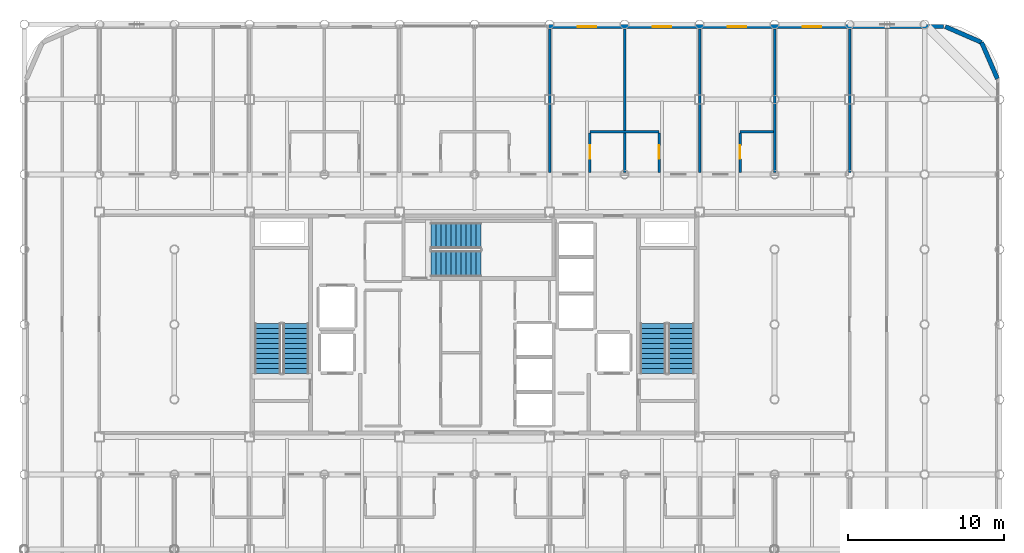
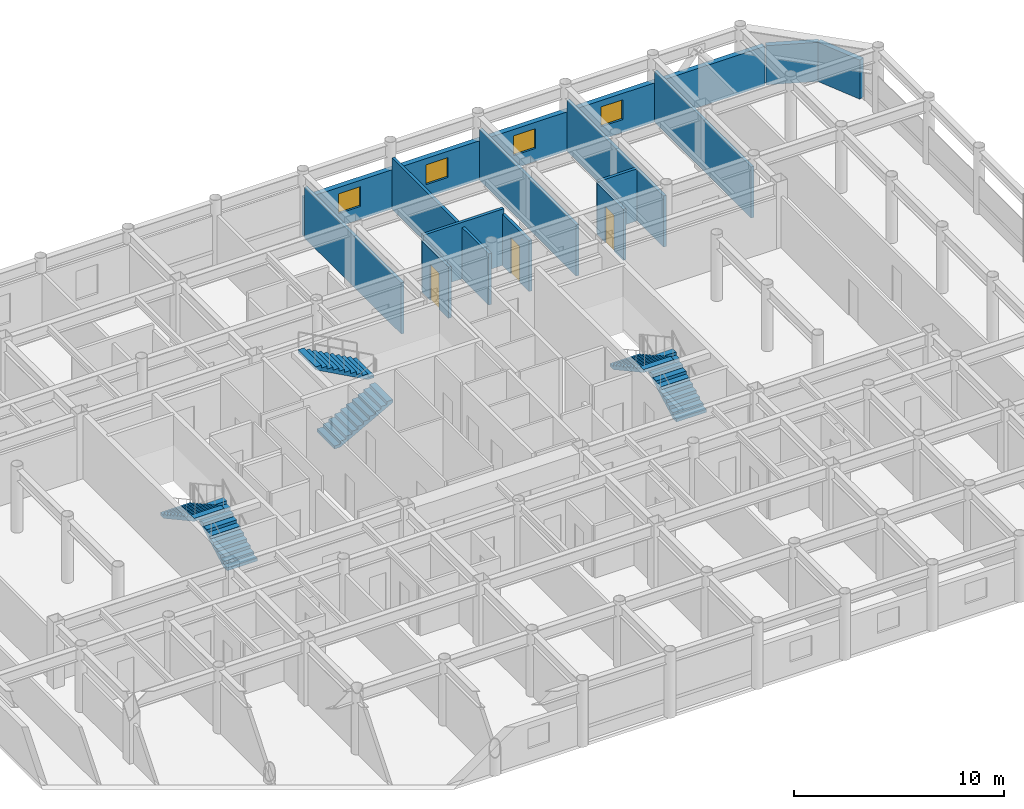
# One storey, part 21 of 22: 13 walls, 6 stair flights, 4 windows, 3 doors, 7 openings, 3 elements without a shape of their own.
"""IFC4 building model written with IfcOpenShell, lengths in metres."""

from ifc_helpers import new_model, si_unit, direction, frame, frame_2d, origin, place, context, subcontext, project, spatial, polyline, rectangle, outline, extrude, material, layer, layer_set, type_object, element, fill, aggregate, save


model = new_model("IFC4")

# Units and contexts
model_context = context("Model", 3, precision=1e-05, world=origin(), true_north=direction((0.0, 1.0)))
body_context = subcontext(model_context, "Body", "Model", "MODEL_VIEW")
ifc_project = project(units=[si_unit("LENGTHUNIT", "METRE"), si_unit("AREAUNIT", "SQUARE_METRE"), si_unit("VOLUMEUNIT", "CUBIC_METRE"), si_unit("PLANEANGLEUNIT", "RADIAN"), si_unit("MASSUNIT", "GRAM", prefix="KILO")], contexts=[model_context])

# Site, building, storey
site_placement = place(None, origin())
site = spatial("IfcSite", under=ifc_project, at=site_placement, CompositionType="ELEMENT")
building_placement = place(site_placement, origin())
building = spatial("IfcBuilding", under=site, at=building_placement, Name="Kallvorn Hotel Tower", CompositionType="ELEMENT")
storey_placement = place(building_placement, frame((0.0, 0.0, 199.199951171875)))
storey = spatial("IfcBuildingStorey", under=building, at=storey_placement, Name="L49", CompositionType="ELEMENT", Elevation=199.199951171875)

# Walls
ifc_material_1 = material(Name="Fire-rated double-layer acoustic gypsum drywall EI 60")
ifc_layer_1 = layer(ifc_material_1, 0.159912109375)
ifc_layer_set_1 = layer_set([ifc_layer_1], Name="WL_DEMISE_160")
wall_type_1 = type_object("IfcWallType", Name="WL_DEMISE_160", PredefinedType="PARTITIONING", material=ifc_layer_set_1)
wall_1_placement = place(storey_placement, frame((7.389892578125, 12.320068359375, 0.0), z_axis=(0.0, 0.0, 1.0), x_axis=(1.0, 0.0, 0.0)))
element("IfcWall", 1, at=wall_1_placement, inside=storey, type_object=wall_type_1, Name="L49 Suite 4913 Standard Twin Room Partition", PredefinedType="PARTITIONING", context=body_context, shape_type="SweptSolid", body=[
    extrude(rectangle(XDim=4.420166015625, YDim=0.159912109375, at=frame_2d((2.2099609375, 0.0))), origin(), (0.0, 0.0, 1.0), 3.27001953125),
])
wall_2_placement = place(storey_placement, frame((16.989990234375, 12.320068359375, 0.0), z_axis=(0.0, 0.0, 1.0), x_axis=(1.0, 0.0, 0.0)))
element("IfcWall", 2, at=wall_2_placement, inside=storey, type_object=wall_type_1, Name="L49 Suite 4915 Standard Twin Room Partition", PredefinedType="PARTITIONING", context=body_context, shape_type="SweptSolid", body=[
    extrude(rectangle(XDim=2.130126953125, YDim=0.159912109375, at=frame_2d((1.06494140625, 0.0))), origin(), (0.0, 0.0, 1.0), 3.02001953125),
])
wall_3_placement = place(storey_placement, frame((4.800048828125, 9.719970703125, 0.0), z_axis=(0.0, 0.0, 1.0), x_axis=(0.0, 1.0, 0.0)))
element("IfcWall", 3, at=wall_3_placement, inside=storey, type_object=wall_type_1, Name="L49 Suite 4912 Standard Twin Room Partition", PredefinedType="PARTITIONING", context=body_context, shape_type="SweptSolid", body=[
    extrude(rectangle(XDim=9.18994140625, YDim=0.159912109375, at=frame_2d((4.594970703125, 0.0))), origin(), (0.0, 0.0, 1.0), 2.969970703125),
])

# Wall, opening, door
wall_4_placement = place(storey_placement, frame((7.389892578125, 9.719970703125, 0.0), z_axis=(0.0, 0.0, 1.0), x_axis=(0.0, 1.0, 0.0)))
wall_4 = element("IfcWall", 4, at=wall_4_placement, inside=storey, type_object=wall_type_1, Name="L49 Suite 4913 Standard Twin Room Partition", PredefinedType="PARTITIONING", context=body_context, shape_type="SweptSolid", body=[
    extrude(rectangle(XDim=2.51513671875, YDim=0.159912109375, at=frame_2d((1.257568359375, 0.0))), origin(), (0.0, 0.0, 1.0), 2.969970703125),
])
opening_1_placement = place(wall_4_placement, frame((0.8701171875, 0.0, 0.0)))
opening_1 = element("IfcOpeningElement", 5, at=opening_1_placement, cuts=wall_4, Name="Opening BD-I", PredefinedType="OPENING", context=body_context, shape_type="SweptSolid", body=[
    extrude(rectangle(XDim=0.860107421875, YDim=2.10009765625, at=frame_2d((0.43017578125, 1.050048828125))), frame((0.0, 0.094970703125, 0.0), z_axis=(0.0, -1.0, 0.0), x_axis=(1.0, 0.0, 0.0)), (0.0, 0.0, 1.0), 0.18994140625),
])
ifc_material_2 = material(Name="Solid-core walnut veneer fire-rated timber door leaf", Category="wood")
door_type = type_object("IfcDoorType", Name="DR_BATH_860x2100", OperationType="NOTDEFINED", PredefinedType="DOOR", material=ifc_material_2)
door_1_placement = place(opening_1_placement, origin())
door_1 = element("IfcDoor", 6, at=door_1_placement, inside=storey, type_object=door_type, Name="L49 Suite 4913 En-Suite Bathroom Door", OperationType="SINGLE_SWING_LEFT", OverallHeight=2.10009765625, OverallWidth=0.860107421875, PredefinedType="DOOR", context=body_context, shape_type="SweptSolid", body=[
    extrude(rectangle(XDim=0.860107421875, YDim=2.10009765625, at=frame_2d((0.43017578125, 1.050048828125))), frame((0.0, 0.02490234375, 0.0), z_axis=(0.0, -1.0, 0.0), x_axis=(1.0, 0.0, 0.0)), (0.0, 0.0, 1.0), 0.050048828125),
])
fill(opening_1, door_1)

# Wall
wall_5_placement = place(storey_placement, frame((9.60009765625, 9.719970703125, 0.0), z_axis=(0.0, 0.0, 1.0), x_axis=(0.0, 1.0, 0.0)))
element("IfcWall", 7, at=wall_5_placement, inside=storey, type_object=wall_type_1, Name="L49 Suite 4913 Standard Twin Room Partition", PredefinedType="PARTITIONING", context=body_context, shape_type="SweptSolid", body=[
    extrude(rectangle(XDim=9.18994140625, YDim=0.159912109375, at=frame_2d((4.594970703125, 0.0))), origin(), (0.0, 0.0, 1.0), 2.969970703125),
])

# Wall, opening, door
wall_6_placement = place(storey_placement, frame((11.81005859375, 9.719970703125, 0.0), z_axis=(0.0, 0.0, 1.0), x_axis=(0.0, 1.0, 0.0)))
wall_6 = element("IfcWall", 8, at=wall_6_placement, inside=storey, type_object=wall_type_1, Name="L49 Suite 4914 Standard Twin Room Partition", PredefinedType="PARTITIONING", context=body_context, shape_type="SweptSolid", body=[
    extrude(rectangle(XDim=2.51513671875, YDim=0.159912109375, at=frame_2d((1.257568359375, 0.0))), origin(), (0.0, 0.0, 1.0), 2.969970703125),
])
opening_2_placement = place(wall_6_placement, frame((0.8701171875, 0.0, 0.0)))
opening_2 = element("IfcOpeningElement", 9, at=opening_2_placement, cuts=wall_6, Name="Opening BD-I", PredefinedType="OPENING", context=body_context, shape_type="SweptSolid", body=[
    extrude(rectangle(XDim=0.860107421875, YDim=2.10009765625, at=frame_2d((0.43017578125, 1.050048828125))), frame((0.0, 0.094970703125, 0.0), z_axis=(0.0, -1.0, 0.0), x_axis=(1.0, 0.0, 0.0)), (0.0, 0.0, 1.0), 0.18994140625),
])
door_2_placement = place(opening_2_placement, origin())
door_2 = element("IfcDoor", 10, at=door_2_placement, inside=storey, type_object=door_type, Name="L49 Suite 4914 En-Suite Bathroom Door", OperationType="SINGLE_SWING_RIGHT", OverallHeight=2.10009765625, OverallWidth=0.860107421875, PredefinedType="DOOR", context=body_context, shape_type="SweptSolid", body=[
    extrude(rectangle(XDim=0.860107421875, YDim=2.10009765625, at=frame_2d((0.43017578125, 1.050048828125))), frame((0.0, 0.02490234375, 0.0), z_axis=(0.0, -1.0, 0.0), x_axis=(1.0, 0.0, 0.0)), (0.0, 0.0, 1.0), 0.050048828125),
])
fill(opening_2, door_2)

# Wall
wall_7_placement = place(storey_placement, frame((14.39990234375, 9.719970703125, 0.0), z_axis=(0.0, 0.0, 1.0), x_axis=(0.0, 1.0, 0.0)))
element("IfcWall", 11, at=wall_7_placement, inside=storey, type_object=wall_type_1, Name="L49 Suite 4914 Standard Twin Room Partition", PredefinedType="PARTITIONING", context=body_context, shape_type="SweptSolid", body=[
    extrude(rectangle(XDim=9.18994140625, YDim=0.159912109375, at=frame_2d((4.594970703125, 0.0))), origin(), (0.0, 0.0, 1.0), 2.969970703125),
])

# Wall, opening, door
wall_8_placement = place(storey_placement, frame((16.989990234375, 9.719970703125, 0.0), z_axis=(0.0, 0.0, 1.0), x_axis=(0.0, 1.0, 0.0)))
wall_8 = element("IfcWall", 12, at=wall_8_placement, inside=storey, type_object=wall_type_1, Name="L49 Suite 4915 Standard Twin Room Partition", PredefinedType="PARTITIONING", context=body_context, shape_type="SweptSolid", body=[
    extrude(rectangle(XDim=2.51513671875, YDim=0.159912109375, at=frame_2d((1.257568359375, 0.0))), origin(), (0.0, 0.0, 1.0), 2.969970703125),
])
opening_3_placement = place(wall_8_placement, frame((0.8701171875, 0.0, 0.0)))
opening_3 = element("IfcOpeningElement", 13, at=opening_3_placement, cuts=wall_8, Name="Opening BD-I", PredefinedType="OPENING", context=body_context, shape_type="SweptSolid", body=[
    extrude(rectangle(XDim=0.860107421875, YDim=2.10009765625, at=frame_2d((0.43017578125, 1.050048828125))), frame((0.0, 0.094970703125, 0.0), z_axis=(0.0, -1.0, 0.0), x_axis=(1.0, 0.0, 0.0)), (0.0, 0.0, 1.0), 0.18994140625),
])
door_3_placement = place(opening_3_placement, origin())
door_3 = element("IfcDoor", 14, at=door_3_placement, inside=storey, type_object=door_type, Name="L49 Suite 4915 En-Suite Bathroom Door", OperationType="SINGLE_SWING_RIGHT", OverallHeight=2.10009765625, OverallWidth=0.860107421875, PredefinedType="DOOR", context=body_context, shape_type="SweptSolid", body=[
    extrude(rectangle(XDim=0.860107421875, YDim=2.10009765625, at=frame_2d((0.43017578125, 1.050048828125))), frame((0.0, 0.02490234375, 0.0), z_axis=(0.0, -1.0, 0.0), x_axis=(1.0, 0.0, 0.0)), (0.0, 0.0, 1.0), 0.050048828125),
])
fill(opening_3, door_3)

# Walls
wall_9_placement = place(storey_placement, frame((19.199951171875, 9.719970703125, 0.0), z_axis=(0.0, 0.0, 1.0), x_axis=(0.0, 1.0, 0.0)))
element("IfcWall", 15, at=wall_9_placement, inside=storey, type_object=wall_type_1, Name="L49 Suite 4915 Standard Twin Room Partition", PredefinedType="PARTITIONING", context=body_context, shape_type="SweptSolid", body=[
    extrude(rectangle(XDim=9.18994140625, YDim=0.159912109375, at=frame_2d((4.594970703125, 0.0))), origin(), (0.0, 0.0, 1.0), 2.969970703125),
])
ifc_material_3 = material(Name="Precast basalt-clad insulated concrete wall C40/50", Category="masonry")
ifc_layer_2 = layer(ifc_material_3, 0.280029296875)
ifc_layer_set_2 = layer_set([ifc_layer_2], Name="WL_EXT_LOGGIA_280")
wall_type_2 = type_object("IfcWallType", Name="WL_EXT_LOGGIA_280", PredefinedType="SOLIDWALL", material=ifc_layer_set_2)
wall_10_placement = place(storey_placement, frame((33.4580078125, 15.720703125, 0.0), z_axis=(0.0, 0.0, 1.0), x_axis=(-0.398792985289, 0.917040977756, 0.0)))
element("IfcWall", 16, at=wall_10_placement, inside=storey, type_object=wall_type_2, Name="L49 Rounded Corner Exterior Wall NE1", PredefinedType="SOLIDWALL", context=body_context, shape_type="SweptSolid", body=[
    extrude(rectangle(XDim=2.536376953125, YDim=0.280029296875, at=frame_2d((1.26806640625, 0.0))), origin(), (0.0, 0.0, 1.0), 2.27001953125),
])
wall_11_placement = place(storey_placement, frame((32.446533203125, 18.046630859375, 0.0), z_axis=(0.0, 0.0, 1.0), x_axis=(-0.917060872934, 0.398747232384, 0.0)))
element("IfcWall", 17, at=wall_11_placement, inside=storey, type_object=wall_type_2, Name="L49 Rounded Corner Exterior Wall NE2", PredefinedType="SOLIDWALL", context=body_context, shape_type="SweptSolid", body=[
    extrude(rectangle(XDim=2.5361328125, YDim=0.280029296875, at=frame_2d((1.26806640625, 0.0))), origin(), (0.0, 0.0, 1.0), 2.27001953125),
])

# Wall, openings, windows
wall_12_placement = place(storey_placement, frame((4.75, 19.06005859375, 0.0), z_axis=(0.0, 0.0, 1.0), x_axis=(1.0, 0.0, 0.0)))
wall_12 = element("IfcWall", 18, at=wall_12_placement, inside=storey, type_object=wall_type_2, Name="L49 Exterior Envelope Wall EW-L49-NE", PredefinedType="SOLIDWALL", context=body_context, shape_type="SweptSolid", body=[
    extrude(rectangle(XDim=25.25, YDim=0.280029296875, at=frame_2d((12.625, 0.0))), origin(), (0.0, 0.0, 1.0), 2.27001953125),
])
opening_4_placement = place(wall_12_placement, frame((16.25, 0.0, 0.75)))
opening_4 = element("IfcOpeningElement", 19, at=opening_4_placement, cuts=wall_12, Name="Opening W06A", PredefinedType="OPENING", context=body_context, shape_type="SweptSolid", body=[
    extrude(rectangle(XDim=1.199951171875, YDim=1.14990234375, at=frame_2d((0.60009765625, 0.574951171875))), frame((0.0, 0.155029296875, 0.0), z_axis=(0.0, -1.0, 0.0), x_axis=(1.0, 0.0, 0.0)), (0.0, 0.0, 1.0), 0.31005859375),
])
opening_5_placement = place(wall_12_placement, frame((1.85009765625, 0.0, 0.75)))
opening_5 = element("IfcOpeningElement", 20, at=opening_5_placement, cuts=wall_12, Name="Opening W06A", PredefinedType="OPENING", context=body_context, shape_type="SweptSolid", body=[
    extrude(rectangle(XDim=1.199951171875, YDim=1.14990234375, at=frame_2d((0.60009765625, 0.574951171875))), frame((0.0, 0.155029296875, 0.0), z_axis=(0.0, -1.0, 0.0), x_axis=(1.0, 0.0, 0.0)), (0.0, 0.0, 1.0), 0.31005859375),
])
opening_6_placement = place(wall_12_placement, frame((6.64990234375, 0.0, 0.75)))
opening_6 = element("IfcOpeningElement", 21, at=opening_6_placement, cuts=wall_12, Name="Opening W06A", PredefinedType="OPENING", context=body_context, shape_type="SweptSolid", body=[
    extrude(rectangle(XDim=1.199951171875, YDim=1.14990234375, at=frame_2d((0.60009765625, 0.574951171875))), frame((0.0, 0.155029296875, 0.0), z_axis=(0.0, -1.0, 0.0), x_axis=(1.0, 0.0, 0.0)), (0.0, 0.0, 1.0), 0.31005859375),
])
opening_7_placement = place(wall_12_placement, frame((11.449951171875, 0.0, 0.75)))
opening_7 = element("IfcOpeningElement", 22, at=opening_7_placement, cuts=wall_12, Name="Opening W06A", PredefinedType="OPENING", context=body_context, shape_type="SweptSolid", body=[
    extrude(rectangle(XDim=1.199951171875, YDim=1.14990234375, at=frame_2d((0.60009765625, 0.574951171875))), frame((0.0, 0.155029296875, 0.0), z_axis=(0.0, -1.0, 0.0), x_axis=(1.0, 0.0, 0.0)), (0.0, 0.0, 1.0), 0.31005859375),
])
ifc_material_4 = material(Name="Triple-glazed low-e acoustic solar-control dark glass", Category="glass")
window_type = type_object("IfcWindowType", Name="WN_HTL_1200x1150", PartitioningType="SINGLE_PANEL", PredefinedType="WINDOW", material=ifc_material_4)
window_1_placement = place(opening_4_placement, origin())
window_1 = element("IfcWindow", 23, at=window_1_placement, inside=storey, type_object=window_type, Name="L49 Guestroom Exterior Window 02", OverallHeight=1.14990234375, OverallWidth=1.199951171875, PartitioningType="SINGLE_PANEL", PredefinedType="WINDOW", context=body_context, shape_type="SweptSolid", body=[
    extrude(rectangle(XDim=1.199951171875, YDim=1.14990234375, at=frame_2d((0.60009765625, 0.574951171875))), frame((0.0, 0.030029296875, 0.0), z_axis=(0.0, -1.0, 0.0), x_axis=(1.0, 0.0, 0.0)), (0.0, 0.0, 1.0), 0.06005859375),
])
fill(opening_4, window_1)
window_2_placement = place(opening_5_placement, origin())
window_2 = element("IfcWindow", 24, at=window_2_placement, inside=storey, type_object=window_type, Name="L49 Guestroom Exterior Window 12", OverallHeight=1.14990234375, OverallWidth=1.199951171875, PartitioningType="SINGLE_PANEL", PredefinedType="WINDOW", context=body_context, shape_type="SweptSolid", body=[
    extrude(rectangle(XDim=1.199951171875, YDim=1.14990234375, at=frame_2d((0.60009765625, 0.574951171875))), frame((0.0, 0.030029296875, 0.0), z_axis=(0.0, -1.0, 0.0), x_axis=(1.0, 0.0, 0.0)), (0.0, 0.0, 1.0), 0.06005859375),
])
fill(opening_5, window_2)
window_3_placement = place(opening_6_placement, origin())
window_3 = element("IfcWindow", 25, at=window_3_placement, inside=storey, type_object=window_type, Name="L49 Guestroom Exterior Window 13", OverallHeight=1.14990234375, OverallWidth=1.199951171875, PartitioningType="SINGLE_PANEL", PredefinedType="WINDOW", context=body_context, shape_type="SweptSolid", body=[
    extrude(rectangle(XDim=1.199951171875, YDim=1.14990234375, at=frame_2d((0.60009765625, 0.574951171875))), frame((0.0, 0.030029296875, 0.0), z_axis=(0.0, -1.0, 0.0), x_axis=(1.0, 0.0, 0.0)), (0.0, 0.0, 1.0), 0.06005859375),
])
fill(opening_6, window_3)
window_4_placement = place(opening_7_placement, origin())
window_4 = element("IfcWindow", 26, at=window_4_placement, inside=storey, type_object=window_type, Name="L49 Guestroom Exterior Window 14", OverallHeight=1.14990234375, OverallWidth=1.199951171875, PartitioningType="SINGLE_PANEL", PredefinedType="WINDOW", context=body_context, shape_type="SweptSolid", body=[
    extrude(rectangle(XDim=1.199951171875, YDim=1.14990234375, at=frame_2d((0.60009765625, 0.574951171875))), frame((0.0, 0.030029296875, 0.0), z_axis=(0.0, -1.0, 0.0), x_axis=(1.0, 0.0, 0.0)), (0.0, 0.0, 1.0), 0.06005859375),
])
fill(opening_7, window_4)

# Wall
ifc_material_5 = material(Name="Fire-rated double-layer acoustic gypsum drywall EI 60")
ifc_layer_3 = layer(ifc_material_5, 0.14990234375)
ifc_layer_set_3 = layer_set([ifc_layer_3], Name="WL_PART_150")
wall_type_3 = type_object("IfcWallType", Name="WL_PART_150", PredefinedType="PARTITIONING", material=ifc_layer_set_3)
wall_13_placement = place(storey_placement, frame((24.0, 9.719970703125, 0.0), z_axis=(0.0, 0.0, 1.0), x_axis=(0.0, 1.0, 0.0)))
element("IfcWall", 27, at=wall_13_placement, inside=storey, type_object=wall_type_3, Name="L49 L49 High-Zone North-East Pastry Bar Partition", PredefinedType="PARTITIONING", context=body_context, shape_type="SweptSolid", body=[
    extrude(rectangle(XDim=9.18994140625, YDim=0.14990234375, at=frame_2d((4.594970703125, 0.0))), origin(), (0.0, 0.0, 1.0), 2.969970703125),
])

# Stair, stair flights
ifc_material_6 = material(Name="Precast concrete C40/50", Category="concrete")
stair_type = type_object("IfcStairType", Name="STR_CORE_DOGLEG", PredefinedType="HALF_TURN_STAIR", material=ifc_material_6)
stair_1_placement = place(storey_placement, origin())
stair_1 = element("IfcStair", 28, at=stair_1_placement, inside=storey, type_object=stair_type, Name="L49 Exit stair ST1", PredefinedType="HALF_TURN_STAIR")
ifc_material_7 = material(Name="Precast concrete C40/50", Category="concrete")
stair_flight_type = type_object("IfcStairFlightType", Name="FLT_CORE_1660", PredefinedType="STRAIGHT", material=ifc_material_7)
stair_flight_1_placement = place(storey_placement, frame((-11.429931640625, -3.139892578125, 0.0), z_axis=(0.0, 0.0, 1.0), x_axis=(0.0, 1.0, 0.0)))
stair_flight_1 = element("IfcStairFlight", 29, at=stair_flight_1_placement, type_object=stair_flight_type, Name="ST1 flight 1", NumberOfRisers=11, NumberOfTreads=10, PredefinedType="STRAIGHT", RiserHeight=0.175, TreadLength=0.32, context=body_context, shape_type="SweptSolid", body=[
    extrude(outline(polyline([(0.0, 0.0), (0.0, 0.175048828125), (0.320068359375, 0.175048828125), (0.320068359375, 0.35009765625), (0.639892578125, 0.35009765625), (0.639892578125, 0.52490234375), (0.9599609375, 0.52490234375), (0.9599609375, 0.699951171875), (1.280029296875, 0.699951171875), (1.280029296875, 0.875), (1.60009765625, 0.875), (1.60009765625, 1.050048828125), (1.919921875, 1.050048828125), (1.919921875, 1.22509765625), (2.239990234375, 1.22509765625), (2.239990234375, 1.39990234375), (2.56005859375, 1.39990234375), (2.56005859375, 1.574951171875), (2.8798828125, 1.574951171875), (2.8798828125, 1.75), (3.199951171875, 1.75), (3.199951171875, 1.925048828125), (3.199951171875, 1.5791015625), (0.3125, 0.0), (0.0, 0.0)])), frame((0.0, 0.830078125, 0.0), z_axis=(0.0, -1.0, 0.0), x_axis=(1.0, 0.0, 0.0)), (0.0, 0.0, 1.0), 1.659912109375),
])
stair_flight_2_placement = place(storey_placement, frame((-13.22998046875, 0.06005859375, 1.925048828125), z_axis=(0.0, 0.0, 1.0), x_axis=(0.0, -1.0, 0.0)))
stair_flight_2 = element("IfcStairFlight", 30, at=stair_flight_2_placement, type_object=stair_flight_type, Name="ST1 flight 2", NumberOfRisers=11, NumberOfTreads=10, PredefinedType="STRAIGHT", RiserHeight=0.175, TreadLength=0.32, context=body_context, shape_type="SweptSolid", body=[
    extrude(outline(polyline([(0.0, 0.0), (0.0, 0.175048828125), (0.320068359375, 0.175048828125), (0.320068359375, 0.35009765625), (0.639892578125, 0.35009765625), (0.639892578125, 0.52490234375), (0.9599609375, 0.52490234375), (0.9599609375, 0.699951171875), (1.280029296875, 0.699951171875), (1.280029296875, 0.875), (1.60009765625, 0.875), (1.60009765625, 1.050048828125), (1.919921875, 1.050048828125), (1.919921875, 1.22509765625), (2.239990234375, 1.22509765625), (2.239990234375, 1.39990234375), (2.56005859375, 1.39990234375), (2.56005859375, 1.574951171875), (2.8798828125, 1.574951171875), (2.8798828125, 1.75), (3.199951171875, 1.75), (3.199951171875, 1.925048828125), (3.199951171875, 1.5791015625), (0.3125, 0.0), (0.0, 0.0)])), frame((0.0, 0.830078125, 0.0), z_axis=(0.0, -1.0, 0.0), x_axis=(1.0, 0.0, 0.0)), (0.0, 0.0, 1.0), 1.659912109375),
])
aggregate(stair_1, [stair_flight_1, stair_flight_2])

stair_2_placement = place(storey_placement, origin())
stair_2 = element("IfcStair", 31, at=stair_2_placement, inside=storey, type_object=stair_type, Name="L49 Exit stair ST2", PredefinedType="HALF_TURN_STAIR")
stair_flight_3_placement = place(storey_placement, frame((13.22998046875, -3.139892578125, 0.0), z_axis=(0.0, 0.0, 1.0), x_axis=(0.0, 1.0, 0.0)))
stair_flight_3 = element("IfcStairFlight", 32, at=stair_flight_3_placement, type_object=stair_flight_type, Name="ST2 flight 1", NumberOfRisers=11, NumberOfTreads=10, PredefinedType="STRAIGHT", RiserHeight=0.175, TreadLength=0.32, context=body_context, shape_type="SweptSolid", body=[
    extrude(outline(polyline([(0.0, 0.0), (0.0, 0.175048828125), (0.320068359375, 0.175048828125), (0.320068359375, 0.35009765625), (0.639892578125, 0.35009765625), (0.639892578125, 0.52490234375), (0.9599609375, 0.52490234375), (0.9599609375, 0.699951171875), (1.280029296875, 0.699951171875), (1.280029296875, 0.875), (1.60009765625, 0.875), (1.60009765625, 1.050048828125), (1.919921875, 1.050048828125), (1.919921875, 1.22509765625), (2.239990234375, 1.22509765625), (2.239990234375, 1.39990234375), (2.56005859375, 1.39990234375), (2.56005859375, 1.574951171875), (2.8798828125, 1.574951171875), (2.8798828125, 1.75), (3.199951171875, 1.75), (3.199951171875, 1.925048828125), (3.199951171875, 1.5791015625), (0.3125, 0.0), (0.0, 0.0)])), frame((0.0, 0.830078125, 0.0), z_axis=(0.0, -1.0, 0.0), x_axis=(1.0, 0.0, 0.0)), (0.0, 0.0, 1.0), 1.659912109375),
])
stair_flight_4_placement = place(storey_placement, frame((11.429931640625, 0.06005859375, 1.925048828125), z_axis=(0.0, 0.0, 1.0), x_axis=(0.0, -1.0, 0.0)))
stair_flight_4 = element("IfcStairFlight", 33, at=stair_flight_4_placement, type_object=stair_flight_type, Name="ST2 flight 2", NumberOfRisers=11, NumberOfTreads=10, PredefinedType="STRAIGHT", RiserHeight=0.175, TreadLength=0.32, context=body_context, shape_type="SweptSolid", body=[
    extrude(outline(polyline([(0.0, 0.0), (0.0, 0.175048828125), (0.320068359375, 0.175048828125), (0.320068359375, 0.35009765625), (0.639892578125, 0.35009765625), (0.639892578125, 0.52490234375), (0.9599609375, 0.52490234375), (0.9599609375, 0.699951171875), (1.280029296875, 0.699951171875), (1.280029296875, 0.875), (1.60009765625, 0.875), (1.60009765625, 1.050048828125), (1.919921875, 1.050048828125), (1.919921875, 1.22509765625), (2.239990234375, 1.22509765625), (2.239990234375, 1.39990234375), (2.56005859375, 1.39990234375), (2.56005859375, 1.574951171875), (2.8798828125, 1.574951171875), (2.8798828125, 1.75), (3.199951171875, 1.75), (3.199951171875, 1.925048828125), (3.199951171875, 1.5791015625), (0.3125, 0.0), (0.0, 0.0)])), frame((0.0, 0.830078125, 0.0), z_axis=(0.0, -1.0, 0.0), x_axis=(1.0, 0.0, 0.0)), (0.0, 0.0, 1.0), 1.659912109375),
])
aggregate(stair_2, [stair_flight_3, stair_flight_4])

stair_3_placement = place(storey_placement, origin())
stair_3 = element("IfcStair", 34, at=stair_3_placement, inside=storey, type_object=stair_type, Name="L49 Exit stair ST3", PredefinedType="HALF_TURN_STAIR")
stair_flight_5_placement = place(storey_placement, frame((-2.7900390625, 3.8798828125, 0.0), z_axis=(0.0, 0.0, 1.0), x_axis=(1.0, 0.0, 0.0)))
stair_flight_5 = element("IfcStairFlight", 35, at=stair_flight_5_placement, type_object=stair_flight_type, Name="ST3 flight 1", NumberOfRisers=11, NumberOfTreads=10, PredefinedType="STRAIGHT", RiserHeight=0.175, TreadLength=0.32, context=body_context, shape_type="SweptSolid", body=[
    extrude(outline(polyline([(0.0, 0.0), (0.0, 0.175048828125), (0.320068359375, 0.175048828125), (0.320068359375, 0.35009765625), (0.639892578125, 0.35009765625), (0.639892578125, 0.52490234375), (0.9599609375, 0.52490234375), (0.9599609375, 0.699951171875), (1.280029296875, 0.699951171875), (1.280029296875, 0.875), (1.60009765625, 0.875), (1.60009765625, 1.050048828125), (1.919921875, 1.050048828125), (1.919921875, 1.22509765625), (2.239990234375, 1.22509765625), (2.239990234375, 1.39990234375), (2.56005859375, 1.39990234375), (2.56005859375, 1.574951171875), (2.8798828125, 1.574951171875), (2.8798828125, 1.75), (3.199951171875, 1.75), (3.199951171875, 1.925048828125), (3.199951171875, 1.5791015625), (0.3125, 0.0), (0.0, 0.0)])), frame((0.0, 0.830078125, 0.0), z_axis=(0.0, -1.0, 0.0), x_axis=(1.0, 0.0, 0.0)), (0.0, 0.0, 1.0), 1.659912109375),
])
stair_flight_6_placement = place(storey_placement, frame((0.409912109375, 5.679931640625, 1.925048828125), z_axis=(0.0, 0.0, 1.0), x_axis=(-1.0, 0.0, 0.0)))
stair_flight_6 = element("IfcStairFlight", 36, at=stair_flight_6_placement, type_object=stair_flight_type, Name="ST3 flight 2", NumberOfRisers=11, NumberOfTreads=10, PredefinedType="STRAIGHT", RiserHeight=0.175, TreadLength=0.32, context=body_context, shape_type="SweptSolid", body=[
    extrude(outline(polyline([(0.0, 0.0), (0.0, 0.175048828125), (0.320068359375, 0.175048828125), (0.320068359375, 0.35009765625), (0.639892578125, 0.35009765625), (0.639892578125, 0.52490234375), (0.9599609375, 0.52490234375), (0.9599609375, 0.699951171875), (1.280029296875, 0.699951171875), (1.280029296875, 0.875), (1.60009765625, 0.875), (1.60009765625, 1.050048828125), (1.919921875, 1.050048828125), (1.919921875, 1.22509765625), (2.239990234375, 1.22509765625), (2.239990234375, 1.39990234375), (2.56005859375, 1.39990234375), (2.56005859375, 1.574951171875), (2.8798828125, 1.574951171875), (2.8798828125, 1.75), (3.199951171875, 1.75), (3.199951171875, 1.925048828125), (3.199951171875, 1.5791015625), (0.3125, 0.0), (0.0, 0.0)])), frame((0.0, 0.830078125, 0.0), z_axis=(0.0, -1.0, 0.0), x_axis=(1.0, 0.0, 0.0)), (0.0, 0.0, 1.0), 1.659912109375),
])
aggregate(stair_3, [stair_flight_5, stair_flight_6])

save(model, "model.ifc")
